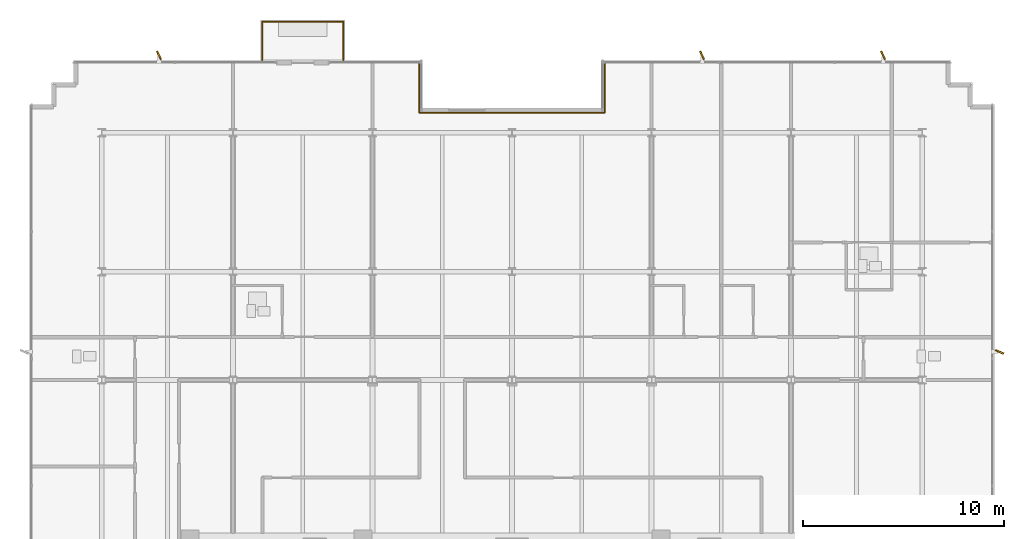
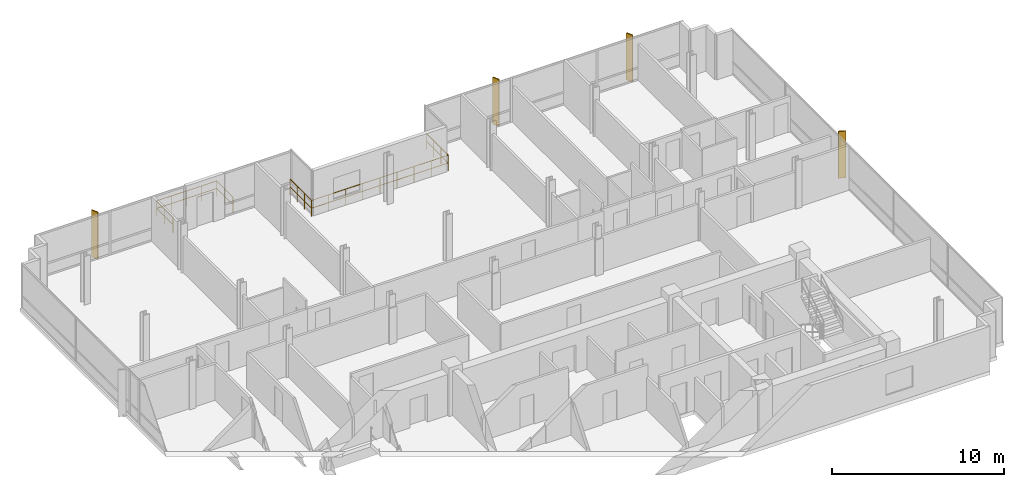
# One storey, part 16 of 17: 6 railings, 4 shading devices.
"""IFC4 building model written with IfcOpenShell, lengths in metres."""

from ifc_helpers import new_model, si_unit, direction, frame, origin, origin_2d, place, context, subcontext, project, spatial, rectangle, circle, extrude, material, layer, layer_set, type_object, element, save


model = new_model("IFC4")

# Units and contexts
model_context = context("Model", 3, precision=1e-05, world=origin(), true_north=direction((0.0, 1.0)))
body_context = subcontext(model_context, "Body", "Model", "MODEL_VIEW")
ifc_project = project(units=[si_unit("LENGTHUNIT", "METRE"), si_unit("AREAUNIT", "SQUARE_METRE"), si_unit("VOLUMEUNIT", "CUBIC_METRE"), si_unit("PLANEANGLEUNIT", "RADIAN"), si_unit("MASSUNIT", "GRAM", prefix="KILO")], contexts=[model_context])

# Site, building, storey
site_placement = place(None, origin())
site = spatial("IfcSite", under=ifc_project, at=site_placement, CompositionType="ELEMENT")
building_placement = place(site_placement, origin())
building = spatial("IfcBuilding", under=site, at=building_placement, Name="Solmavex Isthmus Hotel", CompositionType="ELEMENT")
storey_placement = place(building_placement, frame((0.0, 0.0, 269.550048828125)))
storey = spatial("IfcBuildingStorey", under=building, at=storey_placement, Name="L73", CompositionType="ELEMENT", Elevation=269.550048828125)

# Railings
ifc_material_1 = material(Name="Clear low-E laminated glass", Category="glass")
ifc_layer_1 = layer(ifc_material_1, 0.080078125)
ifc_layer_set_1 = layer_set([ifc_layer_1], Name="Clear low-E laminated glass")
railing_type_1 = type_object("IfcRailingType", Name="RAIL-ATRIUM-1120", PredefinedType="BALUSTRADE", material=ifc_layer_set_1)
railing_1_placement = place(storey_placement, frame((-4.60009765625, 21.219970703125, 0.0)))
element("IfcRailing", 1, at=railing_1_placement, inside=storey, type_object=railing_type_1, Name="Guardrail Balustrade L73-SGV-01", PredefinedType="BALUSTRADE", context=body_context, shape_type="SweptSolid", body=[
    extrude(circle(Radius=0.02392578125, at=origin_2d()), frame((0.0, 0.0, 1.1259765625), z_axis=(0.0, -1.0, 0.0), x_axis=(1.0, 0.0, 0.0)), (0.0, 0.0, 1.0), 2.52001953125),
    extrude(circle(Radius=0.02392578125, at=origin_2d()), frame((0.0, 0.0, 0.574951171875), z_axis=(0.0, -1.0, 0.0), x_axis=(1.0, 0.0, 0.0)), (0.0, 0.0, 1.0), 2.52001953125),
    extrude(circle(Radius=0.02099609375, at=origin_2d()), origin(), (0.0, 0.0, 1.0), 1.101806640625),
    extrude(circle(Radius=0.02099609375, at=origin_2d()), frame((0.0, -0.840087890625, 0.0)), (0.0, 0.0, 1.0), 1.101806640625),
    extrude(circle(Radius=0.02099609375, at=origin_2d()), frame((0.0, -1.679931640625, 0.0)), (0.0, 0.0, 1.0), 1.101806640625),
    extrude(circle(Radius=0.02099609375, at=origin_2d()), frame((0.0, -2.52001953125, 0.0)), (0.0, 0.0, 1.0), 1.101806640625),
])
railing_2_placement = place(storey_placement, frame((-4.60009765625, 18.699951171875, 0.0)))
element("IfcRailing", 2, at=railing_2_placement, inside=storey, type_object=railing_type_1, Name="Guardrail Balustrade L73-SGV-02", PredefinedType="BALUSTRADE", context=body_context, shape_type="SweptSolid", body=[
    extrude(circle(Radius=0.02392578125, at=origin_2d()), frame((0.0, 0.0, 1.1259765625), z_axis=(1.0, 0.0, 0.0), x_axis=(0.0, 1.0, 0.0)), (0.0, 0.0, 1.0), 9.2001953125),
    extrude(circle(Radius=0.02392578125, at=origin_2d()), frame((0.0, 0.0, 0.574951171875), z_axis=(1.0, 0.0, 0.0), x_axis=(0.0, 1.0, 0.0)), (0.0, 0.0, 1.0), 9.2001953125),
    extrude(circle(Radius=0.02099609375, at=origin_2d()), origin(), (0.0, 0.0, 1.0), 1.101806640625),
    extrude(circle(Radius=0.02099609375, at=origin_2d()), frame((1.14990234375, 0.0, 0.0)), (0.0, 0.0, 1.0), 1.101806640625),
    extrude(circle(Radius=0.02099609375, at=origin_2d()), frame((2.300048828125, 0.0, 0.0)), (0.0, 0.0, 1.0), 1.101806640625),
    extrude(circle(Radius=0.02099609375, at=origin_2d()), frame((3.4501953125, 0.0, 0.0)), (0.0, 0.0, 1.0), 1.101806640625),
    extrude(circle(Radius=0.02099609375, at=origin_2d()), frame((4.60009765625, 0.0, 0.0)), (0.0, 0.0, 1.0), 1.101806640625),
    extrude(circle(Radius=0.02099609375, at=origin_2d()), frame((5.75, 0.0, 0.0)), (0.0, 0.0, 1.0), 1.101806640625),
    extrude(circle(Radius=0.02099609375, at=origin_2d()), frame((6.900146484375, 0.0, 0.0)), (0.0, 0.0, 1.0), 1.101806640625),
    extrude(circle(Radius=0.02099609375, at=origin_2d()), frame((8.05029296875, 0.0, 0.0)), (0.0, 0.0, 1.0), 1.101806640625),
    extrude(circle(Radius=0.02099609375, at=origin_2d()), frame((9.2001953125, 0.0, 0.0)), (0.0, 0.0, 1.0), 1.101806640625),
])
railing_3_placement = place(storey_placement, frame((4.60009765625, 18.699951171875, 0.0)))
element("IfcRailing", 3, at=railing_3_placement, inside=storey, type_object=railing_type_1, Name="Guardrail Balustrade L73-SGV-03", PredefinedType="BALUSTRADE", context=body_context, shape_type="SweptSolid", body=[
    extrude(circle(Radius=0.02392578125, at=origin_2d()), frame((0.0, 0.0, 1.1259765625), z_axis=(0.0, 1.0, 0.0), x_axis=(-1.0, 0.0, 0.0)), (0.0, 0.0, 1.0), 2.52001953125),
    extrude(circle(Radius=0.02392578125, at=origin_2d()), frame((0.0, 0.0, 0.574951171875), z_axis=(0.0, 1.0, 0.0), x_axis=(-1.0, 0.0, 0.0)), (0.0, 0.0, 1.0), 2.52001953125),
    extrude(circle(Radius=0.02099609375, at=origin_2d()), origin(), (0.0, 0.0, 1.0), 1.101806640625),
    extrude(circle(Radius=0.02099609375, at=origin_2d()), frame((0.0, 0.840087890625, 0.0)), (0.0, 0.0, 1.0), 1.101806640625),
    extrude(circle(Radius=0.02099609375, at=origin_2d()), frame((0.0, 1.679931640625, 0.0)), (0.0, 0.0, 1.0), 1.101806640625),
    extrude(circle(Radius=0.02099609375, at=origin_2d()), frame((0.0, 2.52001953125, 0.0)), (0.0, 0.0, 1.0), 1.101806640625),
])
ifc_layer_2 = layer(ifc_material_1, 0.070068359375)
ifc_layer_set_2 = layer_set([ifc_layer_2], Name="Clear low-E laminated glass")
railing_type_2 = type_object("IfcRailingType", Name="RAIL-GUARD-1100", PredefinedType="BALUSTRADE", material=ifc_layer_set_2)
railing_4_placement = place(storey_placement, frame((-12.424072265625, 21.300048828125, 0.0)))
element("IfcRailing", 4, at=railing_4_placement, inside=storey, type_object=railing_type_2, Name="Guardrail Balustrade L73-BAL1-01", PredefinedType="BALUSTRADE", context=body_context, shape_type="SweptSolid", body=[
    extrude(circle(Radius=0.02392578125, at=origin_2d()), frame((0.0, 0.0, 1.09619140625), z_axis=(0.0, 1.0, 0.0), x_axis=(-1.0, 0.0, 0.0)), (0.0, 0.0, 1.0), 1.919921875),
    extrude(circle(Radius=0.02392578125, at=origin_2d()), frame((0.0, 0.0, 0.56005859375), z_axis=(0.0, 1.0, 0.0), x_axis=(-1.0, 0.0, 0.0)), (0.0, 0.0, 1.0), 1.919921875),
    extrude(circle(Radius=0.02099609375, at=origin_2d()), origin(), (0.0, 0.0, 1.0), 1.072021484375),
    extrude(circle(Radius=0.02099609375, at=origin_2d()), frame((0.0, 0.9599609375, 0.0)), (0.0, 0.0, 1.0), 1.072021484375),
    extrude(circle(Radius=0.02099609375, at=origin_2d()), frame((0.0, 1.919921875, 0.0)), (0.0, 0.0, 1.0), 1.072021484375),
])
railing_5_placement = place(storey_placement, frame((-12.424072265625, 23.219970703125, 0.0)))
element("IfcRailing", 5, at=railing_5_placement, inside=storey, type_object=railing_type_2, Name="Guardrail Balustrade L73-BAL1-02", PredefinedType="BALUSTRADE", context=body_context, shape_type="SweptSolid", body=[
    extrude(circle(Radius=0.02392578125, at=origin_2d()), frame((0.0, 0.0, 1.09619140625), z_axis=(1.0, 0.0, 0.0), x_axis=(0.0, 1.0, 0.0)), (0.0, 0.0, 1.0), 4.0400390625),
    extrude(circle(Radius=0.02392578125, at=origin_2d()), frame((0.0, 0.0, 0.56005859375), z_axis=(1.0, 0.0, 0.0), x_axis=(0.0, 1.0, 0.0)), (0.0, 0.0, 1.0), 4.0400390625),
    extrude(circle(Radius=0.02099609375, at=origin_2d()), origin(), (0.0, 0.0, 1.0), 1.072021484375),
    extrude(circle(Radius=0.02099609375, at=origin_2d()), frame((1.010009765625, 0.0, 0.0)), (0.0, 0.0, 1.0), 1.072021484375),
    extrude(circle(Radius=0.02099609375, at=origin_2d()), frame((2.02001953125, 0.0, 0.0)), (0.0, 0.0, 1.0), 1.072021484375),
    extrude(circle(Radius=0.02099609375, at=origin_2d()), frame((3.030029296875, 0.0, 0.0)), (0.0, 0.0, 1.0), 1.072021484375),
    extrude(circle(Radius=0.02099609375, at=origin_2d()), frame((4.0400390625, 0.0, 0.0)), (0.0, 0.0, 1.0), 1.072021484375),
])
railing_6_placement = place(storey_placement, frame((-8.384033203125, 23.219970703125, 0.0)))
element("IfcRailing", 6, at=railing_6_placement, inside=storey, type_object=railing_type_2, Name="Guardrail Balustrade L73-BAL1-03", PredefinedType="BALUSTRADE", context=body_context, shape_type="SweptSolid", body=[
    extrude(circle(Radius=0.02392578125, at=origin_2d()), frame((0.0, 0.0, 1.09619140625), z_axis=(0.0, -1.0, 0.0), x_axis=(1.0, 0.0, 0.0)), (0.0, 0.0, 1.0), 1.919921875),
    extrude(circle(Radius=0.02392578125, at=origin_2d()), frame((0.0, 0.0, 0.56005859375), z_axis=(0.0, -1.0, 0.0), x_axis=(1.0, 0.0, 0.0)), (0.0, 0.0, 1.0), 1.919921875),
    extrude(circle(Radius=0.02099609375, at=origin_2d()), origin(), (0.0, 0.0, 1.0), 1.072021484375),
    extrude(circle(Radius=0.02099609375, at=origin_2d()), frame((0.0, -0.9599609375, 0.0)), (0.0, 0.0, 1.0), 1.072021484375),
    extrude(circle(Radius=0.02099609375, at=origin_2d()), frame((0.0, -1.919921875, 0.0)), (0.0, 0.0, 1.0), 1.072021484375),
])

# Shading devices
ifc_material_2 = material(Name="Aluminium alloy 6063-T6", Category="aluminium")
shading_device_type = type_object("IfcShadingDeviceType", Name="SHD-FIN-BRONZE", PredefinedType="USERDEFINED", material=ifc_material_2)
for number, where, z_axis, x_axis, name in (
    (7, (-17.550048828125, 21.5400390625, -0.14013671875), (0.0, 0.0, 1.0), (-0.438371146789, 0.898794046299, 0.0), "Anodised Aluminium Solar Fin L73-N1"),
    (8, (9.449951171875, 21.5400390625, -0.14013671875), (0.0, 0.0, 1.0), (-0.438371146789, 0.898794046299, 0.0), "Anodised Aluminium Solar Fin L73-N2"),
    (9, (18.449951171875, 21.5400390625, -0.14013671875), (0.0, 0.0, 1.0), (-0.438371146789, 0.898794046299, 0.0), "Anodised Aluminium Solar Fin L73-N3"),
    (10, (24.239990234375, 6.800048828125, -0.14013671875), (0.0, 0.0, 1.0), (0.913545457643, -0.406736643076, 0.0), "Anodised Aluminium Solar Fin L73-E1"),
):
    element("IfcShadingDevice", number, at=place(storey_placement, frame(where, z_axis=z_axis, x_axis=x_axis)), inside=storey, type_object=shading_device_type, Name=name, ObjectType="SOLAR_FIN", PredefinedType="USERDEFINED", context=body_context, shape_type="SweptSolid", body=[
        extrude(rectangle(XDim=0.449951171875, YDim=0.080078125, at=origin_2d()), origin(), (0.0, 0.0, 1.0), 3.330078125),
    ])

save(model, "model.ifc")
